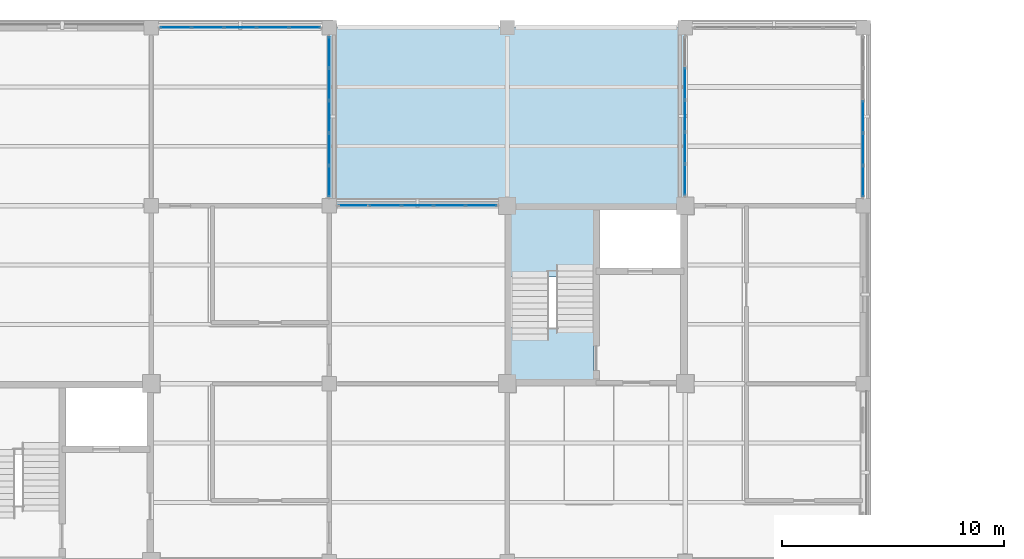
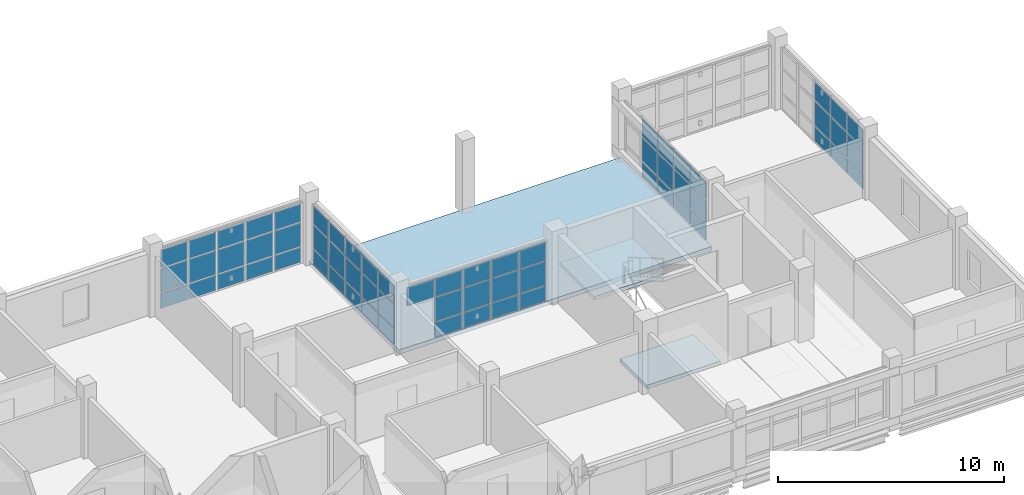
# One storey, part 74 of 126: 64 plates, 3 slabs, 6 elements without a shape of their own.
"""IFC4 building model written with IfcOpenShell, lengths in metres."""

from ifc_helpers import new_model, si_unit, derived_unit, direction, frame, origin, origin_2d, place, context, subcontext, project, spatial, polyline, rectangle, outline, extrude, material, layer, layer_set, type_object, element, aggregate, save


model = new_model("IFC4")

# Units and contexts
model_context = context("Model", 3, precision=1e-05, world=origin(), true_north=direction((0.0, 1.0)))
body_context = subcontext(model_context, "Body", "Model", "MODEL_VIEW")
ifc_project = project(units=[si_unit("LENGTHUNIT", "METRE"), si_unit("AREAUNIT", "SQUARE_METRE"), si_unit("VOLUMEUNIT", "CUBIC_METRE"), si_unit("PLANEANGLEUNIT", "RADIAN"), si_unit("MASSUNIT", "GRAM", prefix="KILO"), derived_unit("THERMALTRANSMITTANCEUNIT", [(si_unit("MASSUNIT", "GRAM", prefix="KILO"), 1), (si_unit("TIMEUNIT", "SECOND"), -3), (si_unit("THERMODYNAMICTEMPERATUREUNIT", "KELVIN"), -1)])], contexts=[model_context])

# Site, building, storey
site_placement = place(None, origin())
site = spatial("IfcSite", under=ifc_project, at=site_placement, CompositionType="ELEMENT")
building_placement = place(site_placement, origin())
building = spatial("IfcBuilding", under=site, at=building_placement, Name="Veyamyaing Civic Hall", CompositionType="ELEMENT")
storey_placement = place(building_placement, frame((0.0, 0.0, 9.89990234375)))
storey = spatial("IfcBuildingStorey", under=building, at=storey_placement, Name="L02", CompositionType="ELEMENT", Elevation=9.89990234375)

# Curtain wall, plates
ifc_material_1 = material(Name="Anodised aluminium 6063-T6", Category="aluminium")
ifc_layer_1 = layer(ifc_material_1, 0.159912109375, Name="Anodised aluminium 6063-T6")
ifc_layer_set_1 = layer_set([ifc_layer_1], Name="Anodised aluminium 6063-T6")
curtain_wall_type = type_object("IfcCurtainWallType", Name="CW-03", PredefinedType="NOTDEFINED", material=ifc_layer_set_1)
curtain_wall_1_placement = place(storey_placement, origin())
curtain_wall_1 = element("IfcCurtainWall", 1, at=curtain_wall_1_placement, inside=storey, type_object=curtain_wall_type, Name="Unitized curtain wall CW-03 L02 N 3.14", PredefinedType="NOTDEFINED")
ifc_material_2 = material(Name="Low-E insulated glass", Category="glass")
ifc_layer_2 = layer(ifc_material_2, 0.028076171875, Name="Low-E insulated glass")
ifc_layer_set_2 = layer_set([ifc_layer_2], Name="Low-E insulated glass")
plate_type_1 = type_object("IfcPlateType", Name="CWP-01", PredefinedType="CURTAIN_PANEL", material=ifc_layer_set_2)
plate_1_placement = place(storey_placement, frame((17.100341796875, 112.0, 0.06494140625), z_axis=(0.0, 0.0, 1.0), x_axis=(1.0, 0.0, 0.0)))
plate_1 = element("IfcPlate", 2, at=plate_1_placement, type_object=plate_type_1, Name="CW-03 panel 1.1", PredefinedType="CURTAIN_PANEL", context=body_context, shape_type="SweptSolid", body=[
    extrude(rectangle(XDim=1.360595703125, YDim=0.028076171875, at=origin_2d()), origin(), (0.0, 0.0, 1.0), 0.802490234375),
])
plate_2_placement = place(storey_placement, frame((17.100341796875, 112.0, 0.9326171875), z_axis=(0.0, 0.0, 1.0), x_axis=(1.0, 0.0, 0.0)))
plate_2 = element("IfcPlate", 3, at=plate_2_placement, type_object=plate_type_1, Name="CW-03 panel 1.2", PredefinedType="CURTAIN_PANEL", context=body_context, shape_type="SweptSolid", body=[
    extrude(rectangle(XDim=1.360595703125, YDim=0.028076171875, at=origin_2d()), origin(), (0.0, 0.0, 1.0), 1.26806640625),
])
plate_3_placement = place(storey_placement, frame((17.100341796875, 112.0, 2.265625), z_axis=(0.0, 0.0, 1.0), x_axis=(1.0, 0.0, 0.0)))
plate_3 = element("IfcPlate", 4, at=plate_3_placement, type_object=plate_type_1, Name="CW-03 panel 1.3", PredefinedType="CURTAIN_PANEL", context=body_context, shape_type="SweptSolid", body=[
    extrude(rectangle(XDim=1.360595703125, YDim=0.028076171875, at=origin_2d()), origin(), (0.0, 0.0, 1.0), 0.953369140625),
])
plate_4_placement = place(storey_placement, frame((18.5419921875, 112.0, 0.06494140625), z_axis=(0.0, 0.0, 1.0), x_axis=(1.0, 0.0, 0.0)))
plate_4 = element("IfcPlate", 5, at=plate_4_placement, type_object=plate_type_1, Name="CW-03 panel 2.1", PredefinedType="CURTAIN_PANEL", context=body_context, shape_type="SweptSolid", body=[
    extrude(rectangle(XDim=1.39306640625, YDim=0.028076171875, at=origin_2d()), origin(), (0.0, 0.0, 1.0), 0.802490234375),
])
plate_5_placement = place(storey_placement, frame((18.5419921875, 112.0, 0.9326171875), z_axis=(0.0, 0.0, 1.0), x_axis=(1.0, 0.0, 0.0)))
plate_5 = element("IfcPlate", 6, at=plate_5_placement, type_object=plate_type_1, Name="CW-03 panel 2.2", PredefinedType="CURTAIN_PANEL", context=body_context, shape_type="SweptSolid", body=[
    extrude(rectangle(XDim=1.39306640625, YDim=0.028076171875, at=origin_2d()), origin(), (0.0, 0.0, 1.0), 1.26806640625),
])
plate_6_placement = place(storey_placement, frame((18.5419921875, 112.0, 2.265625), z_axis=(0.0, 0.0, 1.0), x_axis=(1.0, 0.0, 0.0)))
plate_6 = element("IfcPlate", 7, at=plate_6_placement, type_object=plate_type_1, Name="CW-03 panel 2.3", PredefinedType="CURTAIN_PANEL", context=body_context, shape_type="SweptSolid", body=[
    extrude(rectangle(XDim=1.39306640625, YDim=0.028076171875, at=origin_2d()), origin(), (0.0, 0.0, 1.0), 0.953369140625),
])
plate_7_placement = place(storey_placement, frame((20.0, 112.0, 0.06494140625), z_axis=(0.0, 0.0, 1.0), x_axis=(1.0, 0.0, 0.0)))
plate_7 = element("IfcPlate", 8, at=plate_7_placement, type_object=plate_type_1, Name="CW-03 panel 3.1", PredefinedType="CURTAIN_PANEL", context=body_context, shape_type="SweptSolid", body=[
    extrude(rectangle(XDim=1.39306640625, YDim=0.028076171875, at=origin_2d()), origin(), (0.0, 0.0, 1.0), 0.802490234375),
])
plate_8_placement = place(storey_placement, frame((20.0, 112.0, 0.9326171875), z_axis=(0.0, 0.0, 1.0), x_axis=(1.0, 0.0, 0.0)))
plate_8 = element("IfcPlate", 9, at=plate_8_placement, type_object=plate_type_1, Name="CW-03 panel 3.2", PredefinedType="CURTAIN_PANEL", context=body_context, shape_type="SweptSolid", body=[
    extrude(rectangle(XDim=1.39306640625, YDim=0.028076171875, at=origin_2d()), origin(), (0.0, 0.0, 1.0), 1.26806640625),
])
plate_9_placement = place(storey_placement, frame((20.0, 112.0, 2.265625), z_axis=(0.0, 0.0, 1.0), x_axis=(1.0, 0.0, 0.0)))
plate_9 = element("IfcPlate", 10, at=plate_9_placement, type_object=plate_type_1, Name="CW-03 panel 3.3", PredefinedType="CURTAIN_PANEL", context=body_context, shape_type="SweptSolid", body=[
    extrude(rectangle(XDim=1.39306640625, YDim=0.028076171875, at=origin_2d()), origin(), (0.0, 0.0, 1.0), 0.953369140625),
])
plate_10_placement = place(storey_placement, frame((21.4580078125, 112.0, 0.06494140625), z_axis=(0.0, 0.0, 1.0), x_axis=(1.0, 0.0, 0.0)))
plate_10 = element("IfcPlate", 11, at=plate_10_placement, type_object=plate_type_1, Name="CW-03 panel 4.1", PredefinedType="CURTAIN_PANEL", context=body_context, shape_type="SweptSolid", body=[
    extrude(rectangle(XDim=1.39306640625, YDim=0.028076171875, at=origin_2d()), origin(), (0.0, 0.0, 1.0), 0.802490234375),
])
plate_11_placement = place(storey_placement, frame((21.4580078125, 112.0, 0.9326171875), z_axis=(0.0, 0.0, 1.0), x_axis=(1.0, 0.0, 0.0)))
plate_11 = element("IfcPlate", 12, at=plate_11_placement, type_object=plate_type_1, Name="CW-03 panel 4.2", PredefinedType="CURTAIN_PANEL", context=body_context, shape_type="SweptSolid", body=[
    extrude(rectangle(XDim=1.39306640625, YDim=0.028076171875, at=origin_2d()), origin(), (0.0, 0.0, 1.0), 1.26806640625),
])
plate_12_placement = place(storey_placement, frame((21.4580078125, 112.0, 2.265625), z_axis=(0.0, 0.0, 1.0), x_axis=(1.0, 0.0, 0.0)))
plate_12 = element("IfcPlate", 13, at=plate_12_placement, type_object=plate_type_1, Name="CW-03 panel 4.3", PredefinedType="CURTAIN_PANEL", context=body_context, shape_type="SweptSolid", body=[
    extrude(rectangle(XDim=1.39306640625, YDim=0.028076171875, at=origin_2d()), origin(), (0.0, 0.0, 1.0), 0.953369140625),
])
plate_13_placement = place(storey_placement, frame((22.899658203125, 112.0, 0.06494140625), z_axis=(0.0, 0.0, 1.0), x_axis=(1.0, 0.0, 0.0)))
plate_13 = element("IfcPlate", 14, at=plate_13_placement, type_object=plate_type_1, Name="CW-03 panel 5.1", PredefinedType="CURTAIN_PANEL", context=body_context, shape_type="SweptSolid", body=[
    extrude(rectangle(XDim=1.360595703125, YDim=0.028076171875, at=origin_2d()), origin(), (0.0, 0.0, 1.0), 0.802490234375),
])
plate_14_placement = place(storey_placement, frame((22.899658203125, 112.0, 0.9326171875), z_axis=(0.0, 0.0, 1.0), x_axis=(1.0, 0.0, 0.0)))
plate_14 = element("IfcPlate", 15, at=plate_14_placement, type_object=plate_type_1, Name="CW-03 panel 5.2", PredefinedType="CURTAIN_PANEL", context=body_context, shape_type="SweptSolid", body=[
    extrude(rectangle(XDim=1.360595703125, YDim=0.028076171875, at=origin_2d()), origin(), (0.0, 0.0, 1.0), 1.26806640625),
])
plate_15_placement = place(storey_placement, frame((22.899658203125, 112.0, 2.265625), z_axis=(0.0, 0.0, 1.0), x_axis=(1.0, 0.0, 0.0)))
plate_15 = element("IfcPlate", 16, at=plate_15_placement, type_object=plate_type_1, Name="CW-03 panel 5.3", PredefinedType="CURTAIN_PANEL", context=body_context, shape_type="SweptSolid", body=[
    extrude(rectangle(XDim=1.360595703125, YDim=0.028076171875, at=origin_2d()), origin(), (0.0, 0.0, 1.0), 0.953369140625),
])
aggregate(curtain_wall_1, [plate_1, plate_2, plate_3, plate_4, plate_5, plate_6, plate_7, plate_8, plate_9, plate_10, plate_11, plate_12, plate_13, plate_14, plate_15])

curtain_wall_2_placement = place(storey_placement, origin())
curtain_wall_2 = element("IfcCurtainWall", 17, at=curtain_wall_2_placement, inside=storey, type_object=curtain_wall_type, Name="Unitized curtain wall CW-03 L02 E 3.14", PredefinedType="NOTDEFINED")
plate_16_placement = place(storey_placement, frame((24.0, 105.100341796875, 0.06494140625), z_axis=(0.0, 0.0, 1.0), x_axis=(0.0, 1.0, 0.0)))
plate_16 = element("IfcPlate", 18, at=plate_16_placement, type_object=plate_type_1, Name="CW-03 panel 1.1", PredefinedType="CURTAIN_PANEL", context=body_context, shape_type="SweptSolid", body=[
    extrude(rectangle(XDim=1.360595703125, YDim=0.028076171875, at=origin_2d()), origin(), (0.0, 0.0, 1.0), 0.802490234375),
])
plate_17_placement = place(storey_placement, frame((24.0, 105.100341796875, 0.9326171875), z_axis=(0.0, 0.0, 1.0), x_axis=(0.0, 1.0, 0.0)))
plate_17 = element("IfcPlate", 19, at=plate_17_placement, type_object=plate_type_1, Name="CW-03 panel 1.2", PredefinedType="CURTAIN_PANEL", context=body_context, shape_type="SweptSolid", body=[
    extrude(rectangle(XDim=1.360595703125, YDim=0.028076171875, at=origin_2d()), origin(), (0.0, 0.0, 1.0), 1.26806640625),
])
plate_18_placement = place(storey_placement, frame((24.0, 105.100341796875, 2.265625), z_axis=(0.0, 0.0, 1.0), x_axis=(0.0, 1.0, 0.0)))
plate_18 = element("IfcPlate", 20, at=plate_18_placement, type_object=plate_type_1, Name="CW-03 panel 1.3", PredefinedType="CURTAIN_PANEL", context=body_context, shape_type="SweptSolid", body=[
    extrude(rectangle(XDim=1.360595703125, YDim=0.028076171875, at=origin_2d()), origin(), (0.0, 0.0, 1.0), 0.953369140625),
])
plate_19_placement = place(storey_placement, frame((24.0, 106.5419921875, 0.06494140625), z_axis=(0.0, 0.0, 1.0), x_axis=(0.0, 1.0, 0.0)))
plate_19 = element("IfcPlate", 21, at=plate_19_placement, type_object=plate_type_1, Name="CW-03 panel 2.1", PredefinedType="CURTAIN_PANEL", context=body_context, shape_type="SweptSolid", body=[
    extrude(rectangle(XDim=1.39306640625, YDim=0.028076171875, at=origin_2d()), origin(), (0.0, 0.0, 1.0), 0.802490234375),
])
plate_20_placement = place(storey_placement, frame((24.0, 106.5419921875, 0.9326171875), z_axis=(0.0, 0.0, 1.0), x_axis=(0.0, 1.0, 0.0)))
plate_20 = element("IfcPlate", 22, at=plate_20_placement, type_object=plate_type_1, Name="CW-03 panel 2.2", PredefinedType="CURTAIN_PANEL", context=body_context, shape_type="SweptSolid", body=[
    extrude(rectangle(XDim=1.39306640625, YDim=0.028076171875, at=origin_2d()), origin(), (0.0, 0.0, 1.0), 1.26806640625),
])
plate_21_placement = place(storey_placement, frame((24.0, 106.5419921875, 2.265625), z_axis=(0.0, 0.0, 1.0), x_axis=(0.0, 1.0, 0.0)))
plate_21 = element("IfcPlate", 23, at=plate_21_placement, type_object=plate_type_1, Name="CW-03 panel 2.3", PredefinedType="CURTAIN_PANEL", context=body_context, shape_type="SweptSolid", body=[
    extrude(rectangle(XDim=1.39306640625, YDim=0.028076171875, at=origin_2d()), origin(), (0.0, 0.0, 1.0), 0.953369140625),
])
plate_22_placement = place(storey_placement, frame((24.0, 108.0, 0.06494140625), z_axis=(0.0, 0.0, 1.0), x_axis=(0.0, 1.0, 0.0)))
plate_22 = element("IfcPlate", 24, at=plate_22_placement, type_object=plate_type_1, Name="CW-03 panel 3.1", PredefinedType="CURTAIN_PANEL", context=body_context, shape_type="SweptSolid", body=[
    extrude(rectangle(XDim=1.39306640625, YDim=0.028076171875, at=origin_2d()), origin(), (0.0, 0.0, 1.0), 0.802490234375),
])
plate_23_placement = place(storey_placement, frame((24.0, 108.0, 0.9326171875), z_axis=(0.0, 0.0, 1.0), x_axis=(0.0, 1.0, 0.0)))
plate_23 = element("IfcPlate", 25, at=plate_23_placement, type_object=plate_type_1, Name="CW-03 panel 3.2", PredefinedType="CURTAIN_PANEL", context=body_context, shape_type="SweptSolid", body=[
    extrude(rectangle(XDim=1.39306640625, YDim=0.028076171875, at=origin_2d()), origin(), (0.0, 0.0, 1.0), 1.26806640625),
])
plate_24_placement = place(storey_placement, frame((24.0, 108.0, 2.265625), z_axis=(0.0, 0.0, 1.0), x_axis=(0.0, 1.0, 0.0)))
plate_24 = element("IfcPlate", 26, at=plate_24_placement, type_object=plate_type_1, Name="CW-03 panel 3.3", PredefinedType="CURTAIN_PANEL", context=body_context, shape_type="SweptSolid", body=[
    extrude(rectangle(XDim=1.39306640625, YDim=0.028076171875, at=origin_2d()), origin(), (0.0, 0.0, 1.0), 0.953369140625),
])
plate_25_placement = place(storey_placement, frame((24.0, 109.4580078125, 0.06494140625), z_axis=(0.0, 0.0, 1.0), x_axis=(0.0, 1.0, 0.0)))
plate_25 = element("IfcPlate", 27, at=plate_25_placement, type_object=plate_type_1, Name="CW-03 panel 4.1", PredefinedType="CURTAIN_PANEL", context=body_context, shape_type="SweptSolid", body=[
    extrude(rectangle(XDim=1.39306640625, YDim=0.028076171875, at=origin_2d()), origin(), (0.0, 0.0, 1.0), 0.802490234375),
])
plate_26_placement = place(storey_placement, frame((24.0, 109.4580078125, 0.9326171875), z_axis=(0.0, 0.0, 1.0), x_axis=(0.0, 1.0, 0.0)))
plate_26 = element("IfcPlate", 28, at=plate_26_placement, type_object=plate_type_1, Name="CW-03 panel 4.2", PredefinedType="CURTAIN_PANEL", context=body_context, shape_type="SweptSolid", body=[
    extrude(rectangle(XDim=1.39306640625, YDim=0.028076171875, at=origin_2d()), origin(), (0.0, 0.0, 1.0), 1.26806640625),
])
plate_27_placement = place(storey_placement, frame((24.0, 109.4580078125, 2.265625), z_axis=(0.0, 0.0, 1.0), x_axis=(0.0, 1.0, 0.0)))
plate_27 = element("IfcPlate", 29, at=plate_27_placement, type_object=plate_type_1, Name="CW-03 panel 4.3", PredefinedType="CURTAIN_PANEL", context=body_context, shape_type="SweptSolid", body=[
    extrude(rectangle(XDim=1.39306640625, YDim=0.028076171875, at=origin_2d()), origin(), (0.0, 0.0, 1.0), 0.953369140625),
])
plate_28_placement = place(storey_placement, frame((24.0, 110.899658203125, 0.06494140625), z_axis=(0.0, 0.0, 1.0), x_axis=(0.0, 1.0, 0.0)))
plate_28 = element("IfcPlate", 30, at=plate_28_placement, type_object=plate_type_1, Name="CW-03 panel 5.1", PredefinedType="CURTAIN_PANEL", context=body_context, shape_type="SweptSolid", body=[
    extrude(rectangle(XDim=1.360595703125, YDim=0.028076171875, at=origin_2d()), origin(), (0.0, 0.0, 1.0), 0.802490234375),
])
plate_29_placement = place(storey_placement, frame((24.0, 110.899658203125, 0.9326171875), z_axis=(0.0, 0.0, 1.0), x_axis=(0.0, 1.0, 0.0)))
plate_29 = element("IfcPlate", 31, at=plate_29_placement, type_object=plate_type_1, Name="CW-03 panel 5.2", PredefinedType="CURTAIN_PANEL", context=body_context, shape_type="SweptSolid", body=[
    extrude(rectangle(XDim=1.360595703125, YDim=0.028076171875, at=origin_2d()), origin(), (0.0, 0.0, 1.0), 1.26806640625),
])
plate_30_placement = place(storey_placement, frame((24.0, 110.899658203125, 2.265625), z_axis=(0.0, 0.0, 1.0), x_axis=(0.0, 1.0, 0.0)))
plate_30 = element("IfcPlate", 32, at=plate_30_placement, type_object=plate_type_1, Name="CW-03 panel 5.3", PredefinedType="CURTAIN_PANEL", context=body_context, shape_type="SweptSolid", body=[
    extrude(rectangle(XDim=1.360595703125, YDim=0.028076171875, at=origin_2d()), origin(), (0.0, 0.0, 1.0), 0.953369140625),
])
aggregate(curtain_wall_2, [plate_16, plate_17, plate_18, plate_19, plate_20, plate_21, plate_22, plate_23, plate_24, plate_25, plate_26, plate_27, plate_28, plate_29, plate_30])

curtain_wall_3_placement = place(storey_placement, origin())
curtain_wall_3 = element("IfcCurtainWall", 33, at=curtain_wall_3_placement, inside=storey, type_object=curtain_wall_type, Name="Unitized curtain wall CW-03 L02 N 4.13", PredefinedType="NOTDEFINED")
plate_31_placement = place(storey_placement, frame((25.0927734375, 104.0, 2.265625), z_axis=(0.0, 0.0, 1.0), x_axis=(1.0, 0.0, 0.0)))
plate_31 = element("IfcPlate", 34, at=plate_31_placement, type_object=plate_type_1, Name="CW-03 panel 1.3", PredefinedType="CURTAIN_PANEL", context=body_context, shape_type="SweptSolid", body=[
    extrude(rectangle(XDim=1.345458984375, YDim=0.028076171875, at=origin_2d()), origin(), (0.0, 0.0, 1.0), 0.953369140625),
])
plate_32_placement = place(storey_placement, frame((26.51953125, 104.0, 0.06494140625), z_axis=(0.0, 0.0, 1.0), x_axis=(1.0, 0.0, 0.0)))
plate_32 = element("IfcPlate", 35, at=plate_32_placement, type_object=plate_type_1, Name="CW-03 panel 2.1", PredefinedType="CURTAIN_PANEL", context=body_context, shape_type="SweptSolid", body=[
    extrude(rectangle(XDim=1.3779296875, YDim=0.028076171875, at=origin_2d()), origin(), (0.0, 0.0, 1.0), 0.802490234375),
])
plate_33_placement = place(storey_placement, frame((26.51953125, 104.0, 0.9326171875), z_axis=(0.0, 0.0, 1.0), x_axis=(1.0, 0.0, 0.0)))
plate_33 = element("IfcPlate", 36, at=plate_33_placement, type_object=plate_type_1, Name="CW-03 panel 2.2", PredefinedType="CURTAIN_PANEL", context=body_context, shape_type="SweptSolid", body=[
    extrude(rectangle(XDim=1.3779296875, YDim=0.028076171875, at=origin_2d()), origin(), (0.0, 0.0, 1.0), 1.26806640625),
])
plate_34_placement = place(storey_placement, frame((26.51953125, 104.0, 2.265625), z_axis=(0.0, 0.0, 1.0), x_axis=(1.0, 0.0, 0.0)))
plate_34 = element("IfcPlate", 37, at=plate_34_placement, type_object=plate_type_1, Name="CW-03 panel 2.3", PredefinedType="CURTAIN_PANEL", context=body_context, shape_type="SweptSolid", body=[
    extrude(rectangle(XDim=1.3779296875, YDim=0.028076171875, at=origin_2d()), origin(), (0.0, 0.0, 1.0), 0.953369140625),
])
plate_35_placement = place(storey_placement, frame((27.96240234375, 104.0, 0.06494140625), z_axis=(0.0, 0.0, 1.0), x_axis=(1.0, 0.0, 0.0)))
plate_35 = element("IfcPlate", 38, at=plate_35_placement, type_object=plate_type_1, Name="CW-03 panel 3.1", PredefinedType="CURTAIN_PANEL", context=body_context, shape_type="SweptSolid", body=[
    extrude(rectangle(XDim=1.3779296875, YDim=0.028076171875, at=origin_2d()), origin(), (0.0, 0.0, 1.0), 0.802490234375),
])
plate_36_placement = place(storey_placement, frame((27.96240234375, 104.0, 0.9326171875), z_axis=(0.0, 0.0, 1.0), x_axis=(1.0, 0.0, 0.0)))
plate_36 = element("IfcPlate", 39, at=plate_36_placement, type_object=plate_type_1, Name="CW-03 panel 3.2", PredefinedType="CURTAIN_PANEL", context=body_context, shape_type="SweptSolid", body=[
    extrude(rectangle(XDim=1.3779296875, YDim=0.028076171875, at=origin_2d()), origin(), (0.0, 0.0, 1.0), 1.26806640625),
])
plate_37_placement = place(storey_placement, frame((27.96240234375, 104.0, 2.265625), z_axis=(0.0, 0.0, 1.0), x_axis=(1.0, 0.0, 0.0)))
plate_37 = element("IfcPlate", 40, at=plate_37_placement, type_object=plate_type_1, Name="CW-03 panel 3.3", PredefinedType="CURTAIN_PANEL", context=body_context, shape_type="SweptSolid", body=[
    extrude(rectangle(XDim=1.3779296875, YDim=0.028076171875, at=origin_2d()), origin(), (0.0, 0.0, 1.0), 0.953369140625),
])
plate_38_placement = place(storey_placement, frame((29.405517578125, 104.0, 0.06494140625), z_axis=(0.0, 0.0, 1.0), x_axis=(1.0, 0.0, 0.0)))
plate_38 = element("IfcPlate", 41, at=plate_38_placement, type_object=plate_type_1, Name="CW-03 panel 4.1", PredefinedType="CURTAIN_PANEL", context=body_context, shape_type="SweptSolid", body=[
    extrude(rectangle(XDim=1.3779296875, YDim=0.028076171875, at=origin_2d()), origin(), (0.0, 0.0, 1.0), 0.802490234375),
])
plate_39_placement = place(storey_placement, frame((29.405517578125, 104.0, 0.9326171875), z_axis=(0.0, 0.0, 1.0), x_axis=(1.0, 0.0, 0.0)))
plate_39 = element("IfcPlate", 42, at=plate_39_placement, type_object=plate_type_1, Name="CW-03 panel 4.2", PredefinedType="CURTAIN_PANEL", context=body_context, shape_type="SweptSolid", body=[
    extrude(rectangle(XDim=1.3779296875, YDim=0.028076171875, at=origin_2d()), origin(), (0.0, 0.0, 1.0), 1.26806640625),
])
plate_40_placement = place(storey_placement, frame((29.405517578125, 104.0, 2.265625), z_axis=(0.0, 0.0, 1.0), x_axis=(1.0, 0.0, 0.0)))
plate_40 = element("IfcPlate", 43, at=plate_40_placement, type_object=plate_type_1, Name="CW-03 panel 4.3", PredefinedType="CURTAIN_PANEL", context=body_context, shape_type="SweptSolid", body=[
    extrude(rectangle(XDim=1.3779296875, YDim=0.028076171875, at=origin_2d()), origin(), (0.0, 0.0, 1.0), 0.953369140625),
])
plate_41_placement = place(storey_placement, frame((30.832275390625, 104.0, 0.06494140625), z_axis=(0.0, 0.0, 1.0), x_axis=(1.0, 0.0, 0.0)))
plate_41 = element("IfcPlate", 44, at=plate_41_placement, type_object=plate_type_1, Name="CW-03 panel 5.1", PredefinedType="CURTAIN_PANEL", context=body_context, shape_type="SweptSolid", body=[
    extrude(rectangle(XDim=1.345458984375, YDim=0.028076171875, at=origin_2d()), origin(), (0.0, 0.0, 1.0), 0.802490234375),
])
plate_42_placement = place(storey_placement, frame((30.832275390625, 104.0, 0.9326171875), z_axis=(0.0, 0.0, 1.0), x_axis=(1.0, 0.0, 0.0)))
plate_42 = element("IfcPlate", 45, at=plate_42_placement, type_object=plate_type_1, Name="CW-03 panel 5.2", PredefinedType="CURTAIN_PANEL", context=body_context, shape_type="SweptSolid", body=[
    extrude(rectangle(XDim=1.345458984375, YDim=0.028076171875, at=origin_2d()), origin(), (0.0, 0.0, 1.0), 1.26806640625),
])
plate_43_placement = place(storey_placement, frame((30.832275390625, 104.0, 2.265625), z_axis=(0.0, 0.0, 1.0), x_axis=(1.0, 0.0, 0.0)))
plate_43 = element("IfcPlate", 46, at=plate_43_placement, type_object=plate_type_1, Name="CW-03 panel 5.3", PredefinedType="CURTAIN_PANEL", context=body_context, shape_type="SweptSolid", body=[
    extrude(rectangle(XDim=1.345458984375, YDim=0.028076171875, at=origin_2d()), origin(), (0.0, 0.0, 1.0), 0.953369140625),
])
aggregate(curtain_wall_3, [plate_31, plate_32, plate_33, plate_34, plate_35, plate_36, plate_37, plate_38, plate_39, plate_40, plate_41, plate_42, plate_43])

curtain_wall_4_placement = place(storey_placement, origin())
curtain_wall_4 = element("IfcCurtainWall", 47, at=curtain_wall_4_placement, inside=storey, type_object=curtain_wall_type, Name="Unitized curtain wall CW-03 L02 W 6.14", PredefinedType="NOTDEFINED")
ifc_layer_3 = layer(ifc_material_2, 0.02392578125, Name="Low-E insulated glass")
ifc_layer_set_3 = layer_set([ifc_layer_3], Name="Low-E insulated glass")
plate_type_2 = type_object("IfcPlateType", Name="CWP-04", PredefinedType="CURTAIN_PANEL", material=ifc_layer_set_3)
plate_44_placement = place(storey_placement, frame((40.0, 105.167724609375, 0.06494140625), z_axis=(0.0, 0.0, 1.0), x_axis=(0.0, 1.0, 0.0)))
plate_44 = element("IfcPlate", 48, at=plate_44_placement, type_object=plate_type_2, Name="CW-03 panel 1.1", PredefinedType="CURTAIN_PANEL", context=body_context, shape_type="SweptSolid", body=[
    extrude(rectangle(XDim=1.345458984375, YDim=0.02392578125, at=origin_2d()), origin(), (0.0, 0.0, 1.0), 0.802490234375),
])
plate_45_placement = place(storey_placement, frame((40.0, 105.167724609375, 0.9326171875), z_axis=(0.0, 0.0, 1.0), x_axis=(0.0, 1.0, 0.0)))
plate_45 = element("IfcPlate", 49, at=plate_45_placement, type_object=plate_type_2, Name="CW-03 panel 1.2", PredefinedType="CURTAIN_PANEL", context=body_context, shape_type="SweptSolid", body=[
    extrude(rectangle(XDim=1.345458984375, YDim=0.02392578125, at=origin_2d()), origin(), (0.0, 0.0, 1.0), 1.265380859375),
])
plate_46_placement = place(storey_placement, frame((40.0, 105.167724609375, 2.262939453125), z_axis=(0.0, 0.0, 1.0), x_axis=(0.0, 1.0, 0.0)))
plate_46 = element("IfcPlate", 50, at=plate_46_placement, type_object=plate_type_2, Name="CW-03 panel 1.3", PredefinedType="CURTAIN_PANEL", context=body_context, shape_type="SweptSolid", body=[
    extrude(rectangle(XDim=1.345458984375, YDim=0.02392578125, at=origin_2d()), origin(), (0.0, 0.0, 1.0), 0.9521484375),
])
plate_47_placement = place(storey_placement, frame((40.0, 106.594482421875, 0.06494140625), z_axis=(0.0, 0.0, 1.0), x_axis=(0.0, 1.0, 0.0)))
plate_47 = element("IfcPlate", 51, at=plate_47_placement, type_object=plate_type_2, Name="CW-03 panel 2.1", PredefinedType="CURTAIN_PANEL", context=body_context, shape_type="SweptSolid", body=[
    extrude(rectangle(XDim=1.3779296875, YDim=0.02392578125, at=origin_2d()), origin(), (0.0, 0.0, 1.0), 0.802490234375),
])
plate_48_placement = place(storey_placement, frame((40.0, 106.594482421875, 0.9326171875), z_axis=(0.0, 0.0, 1.0), x_axis=(0.0, 1.0, 0.0)))
plate_48 = element("IfcPlate", 52, at=plate_48_placement, type_object=plate_type_2, Name="CW-03 panel 2.2", PredefinedType="CURTAIN_PANEL", context=body_context, shape_type="SweptSolid", body=[
    extrude(rectangle(XDim=1.3779296875, YDim=0.02392578125, at=origin_2d()), origin(), (0.0, 0.0, 1.0), 1.265380859375),
])
plate_49_placement = place(storey_placement, frame((40.0, 106.594482421875, 2.262939453125), z_axis=(0.0, 0.0, 1.0), x_axis=(0.0, 1.0, 0.0)))
plate_49 = element("IfcPlate", 53, at=plate_49_placement, type_object=plate_type_2, Name="CW-03 panel 2.3", PredefinedType="CURTAIN_PANEL", context=body_context, shape_type="SweptSolid", body=[
    extrude(rectangle(XDim=1.3779296875, YDim=0.02392578125, at=origin_2d()), origin(), (0.0, 0.0, 1.0), 0.9521484375),
])
plate_50_placement = place(storey_placement, frame((40.0, 108.03759765625, 0.06494140625), z_axis=(0.0, 0.0, 1.0), x_axis=(0.0, 1.0, 0.0)))
plate_50 = element("IfcPlate", 54, at=plate_50_placement, type_object=plate_type_2, Name="CW-03 panel 3.1", PredefinedType="CURTAIN_PANEL", context=body_context, shape_type="SweptSolid", body=[
    extrude(rectangle(XDim=1.3779296875, YDim=0.02392578125, at=origin_2d()), origin(), (0.0, 0.0, 1.0), 0.802490234375),
])
plate_51_placement = place(storey_placement, frame((40.0, 108.03759765625, 0.9326171875), z_axis=(0.0, 0.0, 1.0), x_axis=(0.0, 1.0, 0.0)))
plate_51 = element("IfcPlate", 55, at=plate_51_placement, type_object=plate_type_2, Name="CW-03 panel 3.2", PredefinedType="CURTAIN_PANEL", context=body_context, shape_type="SweptSolid", body=[
    extrude(rectangle(XDim=1.3779296875, YDim=0.02392578125, at=origin_2d()), origin(), (0.0, 0.0, 1.0), 1.265380859375),
])
plate_52_placement = place(storey_placement, frame((40.0, 108.03759765625, 2.262939453125), z_axis=(0.0, 0.0, 1.0), x_axis=(0.0, 1.0, 0.0)))
plate_52 = element("IfcPlate", 56, at=plate_52_placement, type_object=plate_type_2, Name="CW-03 panel 3.3", PredefinedType="CURTAIN_PANEL", context=body_context, shape_type="SweptSolid", body=[
    extrude(rectangle(XDim=1.3779296875, YDim=0.02392578125, at=origin_2d()), origin(), (0.0, 0.0, 1.0), 0.9521484375),
])
plate_53_placement = place(storey_placement, frame((40.0, 109.48046875, 0.06494140625), z_axis=(0.0, 0.0, 1.0), x_axis=(0.0, 1.0, 0.0)))
plate_53 = element("IfcPlate", 57, at=plate_53_placement, type_object=plate_type_2, Name="CW-03 panel 4.1", PredefinedType="CURTAIN_PANEL", context=body_context, shape_type="SweptSolid", body=[
    extrude(rectangle(XDim=1.3779296875, YDim=0.02392578125, at=origin_2d()), origin(), (0.0, 0.0, 1.0), 0.802490234375),
])
plate_54_placement = place(storey_placement, frame((40.0, 109.48046875, 0.9326171875), z_axis=(0.0, 0.0, 1.0), x_axis=(0.0, 1.0, 0.0)))
plate_54 = element("IfcPlate", 58, at=plate_54_placement, type_object=plate_type_2, Name="CW-03 panel 4.2", PredefinedType="CURTAIN_PANEL", context=body_context, shape_type="SweptSolid", body=[
    extrude(rectangle(XDim=1.3779296875, YDim=0.02392578125, at=origin_2d()), origin(), (0.0, 0.0, 1.0), 1.265380859375),
])
plate_55_placement = place(storey_placement, frame((40.0, 109.48046875, 2.262939453125), z_axis=(0.0, 0.0, 1.0), x_axis=(0.0, 1.0, 0.0)))
plate_55 = element("IfcPlate", 59, at=plate_55_placement, type_object=plate_type_2, Name="CW-03 panel 4.3", PredefinedType="CURTAIN_PANEL", context=body_context, shape_type="SweptSolid", body=[
    extrude(rectangle(XDim=1.3779296875, YDim=0.02392578125, at=origin_2d()), origin(), (0.0, 0.0, 1.0), 0.9521484375),
])
aggregate(curtain_wall_4, [plate_44, plate_45, plate_46, plate_47, plate_48, plate_49, plate_50, plate_51, plate_52, plate_53, plate_54, plate_55])

curtain_wall_5_placement = place(storey_placement, origin())
curtain_wall_5 = element("IfcCurtainWall", 60, at=curtain_wall_5_placement, inside=storey, type_object=curtain_wall_type, Name="Unitized curtain wall CW-03 L02 E 6.14", PredefinedType="NOTDEFINED")
plate_56_placement = place(storey_placement, frame((48.0, 105.100341796875, 0.06494140625), z_axis=(0.0, 0.0, 1.0), x_axis=(0.0, 1.0, 0.0)))
plate_56 = element("IfcPlate", 61, at=plate_56_placement, type_object=plate_type_2, Name="CW-03 panel 1.1", PredefinedType="CURTAIN_PANEL", context=body_context, shape_type="SweptSolid", body=[
    extrude(rectangle(XDim=1.360595703125, YDim=0.02392578125, at=origin_2d()), origin(), (0.0, 0.0, 1.0), 0.802490234375),
])
plate_57_placement = place(storey_placement, frame((48.0, 105.100341796875, 0.9326171875), z_axis=(0.0, 0.0, 1.0), x_axis=(0.0, 1.0, 0.0)))
plate_57 = element("IfcPlate", 62, at=plate_57_placement, type_object=plate_type_2, Name="CW-03 panel 1.2", PredefinedType="CURTAIN_PANEL", context=body_context, shape_type="SweptSolid", body=[
    extrude(rectangle(XDim=1.360595703125, YDim=0.02392578125, at=origin_2d()), origin(), (0.0, 0.0, 1.0), 1.308837890625),
])
plate_58_placement = place(storey_placement, frame((48.0, 105.100341796875, 2.306396484375), z_axis=(0.0, 0.0, 1.0), x_axis=(0.0, 1.0, 0.0)))
plate_58 = element("IfcPlate", 63, at=plate_58_placement, type_object=plate_type_2, Name="CW-03 panel 1.3", PredefinedType="CURTAIN_PANEL", context=body_context, shape_type="SweptSolid", body=[
    extrude(rectangle(XDim=1.360595703125, YDim=0.02392578125, at=origin_2d()), origin(), (0.0, 0.0, 1.0), 0.97265625),
])
plate_59_placement = place(storey_placement, frame((48.0, 106.5419921875, 0.06494140625), z_axis=(0.0, 0.0, 1.0), x_axis=(0.0, 1.0, 0.0)))
plate_59 = element("IfcPlate", 64, at=plate_59_placement, type_object=plate_type_2, Name="CW-03 panel 2.1", PredefinedType="CURTAIN_PANEL", context=body_context, shape_type="SweptSolid", body=[
    extrude(rectangle(XDim=1.39306640625, YDim=0.02392578125, at=origin_2d()), origin(), (0.0, 0.0, 1.0), 0.802490234375),
])
plate_60_placement = place(storey_placement, frame((48.0, 106.5419921875, 0.9326171875), z_axis=(0.0, 0.0, 1.0), x_axis=(0.0, 1.0, 0.0)))
plate_60 = element("IfcPlate", 65, at=plate_60_placement, type_object=plate_type_2, Name="CW-03 panel 2.2", PredefinedType="CURTAIN_PANEL", context=body_context, shape_type="SweptSolid", body=[
    extrude(rectangle(XDim=1.39306640625, YDim=0.02392578125, at=origin_2d()), origin(), (0.0, 0.0, 1.0), 1.308837890625),
])
plate_61_placement = place(storey_placement, frame((48.0, 106.5419921875, 2.306396484375), z_axis=(0.0, 0.0, 1.0), x_axis=(0.0, 1.0, 0.0)))
plate_61 = element("IfcPlate", 66, at=plate_61_placement, type_object=plate_type_2, Name="CW-03 panel 2.3", PredefinedType="CURTAIN_PANEL", context=body_context, shape_type="SweptSolid", body=[
    extrude(rectangle(XDim=1.39306640625, YDim=0.02392578125, at=origin_2d()), origin(), (0.0, 0.0, 1.0), 0.97265625),
])
plate_62_placement = place(storey_placement, frame((48.0, 108.0, 0.06494140625), z_axis=(0.0, 0.0, 1.0), x_axis=(0.0, 1.0, 0.0)))
plate_62 = element("IfcPlate", 67, at=plate_62_placement, type_object=plate_type_2, Name="CW-03 panel 3.1", PredefinedType="CURTAIN_PANEL", context=body_context, shape_type="SweptSolid", body=[
    extrude(rectangle(XDim=1.39306640625, YDim=0.02392578125, at=origin_2d()), origin(), (0.0, 0.0, 1.0), 0.802490234375),
])
plate_63_placement = place(storey_placement, frame((48.0, 108.0, 0.9326171875), z_axis=(0.0, 0.0, 1.0), x_axis=(0.0, 1.0, 0.0)))
plate_63 = element("IfcPlate", 68, at=plate_63_placement, type_object=plate_type_2, Name="CW-03 panel 3.2", PredefinedType="CURTAIN_PANEL", context=body_context, shape_type="SweptSolid", body=[
    extrude(rectangle(XDim=1.39306640625, YDim=0.02392578125, at=origin_2d()), origin(), (0.0, 0.0, 1.0), 1.308837890625),
])
plate_64_placement = place(storey_placement, frame((48.0, 108.0, 2.306396484375), z_axis=(0.0, 0.0, 1.0), x_axis=(0.0, 1.0, 0.0)))
plate_64 = element("IfcPlate", 69, at=plate_64_placement, type_object=plate_type_2, Name="CW-03 panel 3.3", PredefinedType="CURTAIN_PANEL", context=body_context, shape_type="SweptSolid", body=[
    extrude(rectangle(XDim=1.39306640625, YDim=0.02392578125, at=origin_2d()), origin(), (0.0, 0.0, 1.0), 0.97265625),
])
aggregate(curtain_wall_5, [plate_56, plate_57, plate_58, plate_59, plate_60, plate_61, plate_62, plate_63, plate_64])

# Slabs
ifc_material_3 = material(Name="Concrete C40/50", Category="concrete")
ifc_layer_4 = layer(ifc_material_3, 0.239990234375, Name="Concrete C40/50")
ifc_layer_set_4 = layer_set([ifc_layer_4], Name="Concrete C40/50")
slab_type_1 = type_object("IfcSlabType", Name="SL-15", PredefinedType="ROOF", material=ifc_layer_set_4)
slab_1_placement = place(storey_placement, frame((0.0, 0.0, -0.239990234375)))
element("IfcSlab", 70, at=slab_1_placement, inside=storey, type_object=slab_type_1, Name="Roof slab SL-15 L02 V4NW.1", PredefinedType="ROOF", context=body_context, shape_type="SweptSolid", body=[
    extrude(outline(polyline([(24.0, 104.0), (24.0, 112.0), (40.0, 112.0), (40.0, 104.0), (24.0, 104.0)])), origin(), (0.0, 0.0, 1.0), 0.239990234375),
])
ifc_layer_5 = layer(ifc_material_3, 0.199951171875, Name="Concrete C40/50")
ifc_layer_set_5 = layer_set([ifc_layer_5], Name="Concrete C40/50")
slab_type_2 = type_object("IfcSlabType", Name="SL-16", PredefinedType="FLOOR", material=ifc_layer_set_5)
slab_2_placement = place(storey_placement, frame((0.0, 0.0, -0.199951171875)))
element("IfcSlab", 71, at=slab_2_placement, inside=storey, type_object=slab_type_2, Name="Stair floor landing slab SL-16 ST-02 L02", PredefinedType="FLOOR", context=body_context, shape_type="SweptSolid", body=[
    extrude(outline(polyline([(32.139892578125, 96.139892578125), (35.909912109375, 96.139892578125), (35.909912109375, 98.52001953125), (32.139892578125, 98.52001953125), (32.139892578125, 96.139892578125)])), origin(), (0.0, 0.0, 1.0), 0.199951171875),
])

# Stair, slab
stair_type = type_object("IfcStairType", Name="ST-D", PredefinedType="HALF_TURN_STAIR", material=ifc_material_3)
stair_placement = place(storey_placement, origin())
stair = element("IfcStair", 72, at=stair_placement, inside=storey, type_object=stair_type, Name="Protected exit stair ST-02 L02", PredefinedType="HALF_TURN_STAIR")
ifc_layer_6 = layer(ifc_material_3, 0.195068359375, Name="Concrete C40/50")
ifc_layer_set_6 = layer_set([ifc_layer_6], Name="Concrete C40/50")
slab_type_3 = type_object("IfcSlabType", Name="SL-LND", PredefinedType="LANDING", material=ifc_layer_set_6)
slab_3_placement = place(storey_placement, frame((0.0, 0.0, 1.78515625)))
slab_3 = element("IfcSlab", 73, at=slab_3_placement, type_object=slab_type_3, Name="ST-02 landing 1", PredefinedType="LANDING", context=body_context, shape_type="SweptSolid", body=[
    extrude(outline(polyline([(32.139892578125, 100.7900390625), (35.909912109375, 100.7900390625), (35.909912109375, 103.860107421875), (32.139892578125, 103.860107421875), (32.139892578125, 100.7900390625)])), origin(), (0.0, 0.0, 1.0), 0.19482421875),
])
aggregate(stair, [slab_3])

save(model, "model.ifc")
